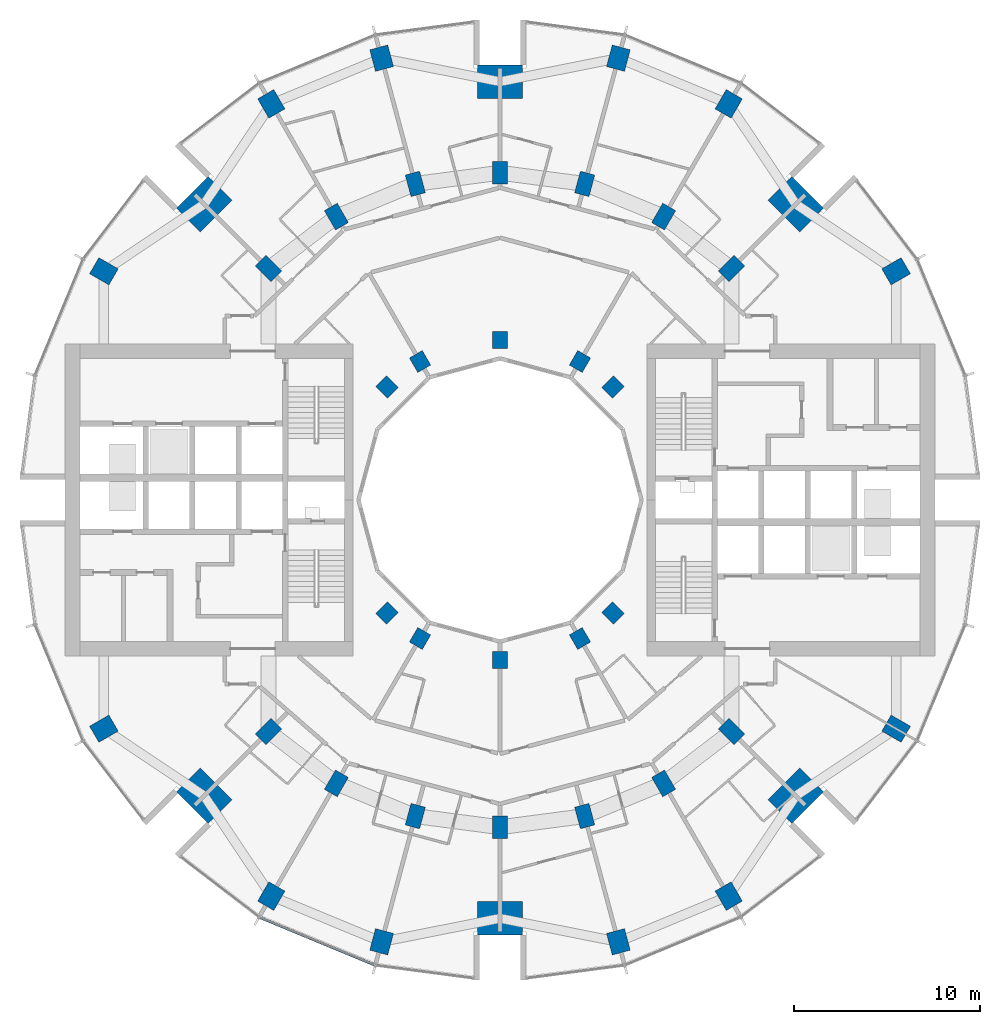
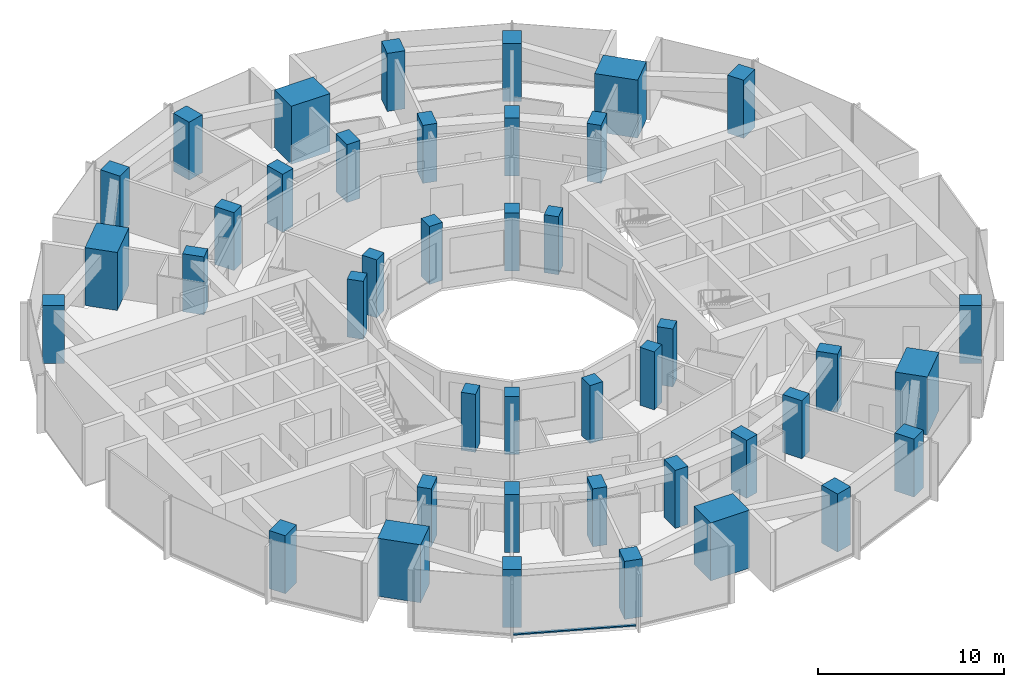
# One storey, part 1 of 15: 42 columns, 1 member, 1 element without a shape of its own.
"""IFC4 building model written with IfcOpenShell, lengths in metres."""

from ifc_helpers import new_model, si_unit, direction, frame, origin, origin_2d, place, context, subcontext, project, spatial, rectangle, extrude, material, layer, layer_set, material_profile, profile_set, type_object, element, aggregate, save


model = new_model("IFC4")

# Units and contexts
model_context = context("Model", 3, precision=1e-05, world=origin(), true_north=direction((0.0, 1.0)))
body_context = subcontext(model_context, "Body", "Model", "MODEL_VIEW")
ifc_project = project(units=[si_unit("LENGTHUNIT", "METRE"), si_unit("AREAUNIT", "SQUARE_METRE"), si_unit("VOLUMEUNIT", "CUBIC_METRE"), si_unit("PLANEANGLEUNIT", "RADIAN"), si_unit("MASSUNIT", "GRAM", prefix="KILO")], contexts=[model_context])

# Site, building, storey
site_placement = place(None, origin())
site = spatial("IfcSite", under=ifc_project, at=site_placement, CompositionType="ELEMENT")
building_placement = place(site_placement, origin())
building = spatial("IfcBuilding", under=site, at=building_placement, Name="Torre Brocal", CompositionType="ELEMENT")
storey_placement = place(building_placement, frame((0.0, 0.0, 47.800048828125)))
storey = spatial("IfcBuildingStorey", under=building, at=storey_placement, Name="L10", CompositionType="ELEMENT", Elevation=47.800048828125)

# Columns
ifc_material_1 = material(Name="Concrete C80", Category="concrete")
ifc_material_profile_1 = material_profile(ifc_material_1, rectangle(XDim=1.199951171875, YDim=1.0, at=origin_2d()), Name="RC 1200X1000")
ifc_profile_set_1 = profile_set([ifc_material_profile_1], Name="Concrete C80")
column_type_1 = type_object("IfcColumnType", Name="RC COLUMN 1200X1000 C80", PredefinedType="COLUMN", material=ifc_profile_set_1)
for number, where, z_axis, x_axis, name in (
    (1, (101.30419921875, 87.300048828125, 0.0), (0.0, 0.0, 1.0), (0.866025403784, 0.5, 0.0), "Column C-O02"),
    (2, (92.300048828125, 96.30419921875, 0.0), (0.0, 0.0, 1.0), (0.5, 0.866025403784, 0.0), "Column C-O04"),
    (3, (86.366943359375, 98.76171875, 0.0), (0.0, 0.0, 1.0), (0.258819045103, 0.965925826289, 0.0), "Column C-O05"),
    (4, (73.633056640625, 98.76171875, 0.0), (0.0, 0.0, 1.0), (-0.258819045103, 0.965925826289, 0.0), "Column C-O07"),
    (5, (67.699951171875, 96.30419921875, 0.0), (0.0, 0.0, 1.0), (-0.5, 0.866025403784, 0.0), "Column C-O08"),
    (6, (58.69580078125, 87.300048828125, 0.0), (0.0, 0.0, 1.0), (-0.866025403784, 0.5, 0.0), "Column C-O10"),
    (7, (58.69580078125, 62.699951171875, 0.0), (0.0, 0.0, 1.0), (-0.866025403784, -0.5, 0.0), "Column C-O14"),
    (8, (67.699951171875, 53.69580078125, 0.0), (0.0, 0.0, 1.0), (-0.5, -0.866025403784, 0.0), "Column C-O16"),
    (9, (73.633056640625, 51.23828125, 0.0), (0.0, 0.0, 1.0), (-0.258819045103, -0.965925826289, 0.0), "Column C-O17"),
    (10, (86.366943359375, 51.23828125, 0.0), (0.0, 0.0, 1.0), (0.258819045103, -0.965925826289, 0.0), "Column C-O19"),
    (11, (92.300048828125, 53.69580078125, 0.0), (0.0, 0.0, 1.0), (0.5, -0.866025403784, 0.0), "Column C-O20"),
    (12, (101.30419921875, 62.699951171875, 0.0), (0.0, 0.0, 1.0), (0.866025403784, -0.5, 0.0), "Column C-O22"),
):
    element("IfcColumn", number, at=place(storey_placement, frame(where, z_axis=z_axis, x_axis=x_axis)), inside=storey, type_object=column_type_1, Name=name, PredefinedType="COLUMN", context=body_context, shape_type="SweptSolid", body=[
        extrude(rectangle(XDim=1.199951171875, YDim=1.0, at=origin_2d()), origin(), (0.0, 0.0, 1.0), 3.800048828125),
    ])
ifc_material_2 = material(Name="Concrete C80", Category="concrete")
ifc_material_profile_2 = material_profile(ifc_material_2, rectangle(XDim=1.199951171875, YDim=0.800048828125, at=origin_2d()), Name="RC 1200X800")
ifc_profile_set_2 = profile_set([ifc_material_profile_2], Name="Concrete C80")
column_type_2 = type_object("IfcColumnType", Name="RC COLUMN 1200X800 C80", PredefinedType="COLUMN", material=ifc_profile_set_2)
for number, where, z_axis, x_axis, name in (
    (13, (92.445068359375, 87.445068359375, 0.0), (0.0, 0.0, 1.0), (0.707106781187, 0.707106781187, 0.0), "Column C-M03"),
    (14, (88.800048828125, 90.241943359375, 0.0), (0.0, 0.0, 1.0), (0.5, 0.866025403784, 0.0), "Column C-M04"),
    (15, (84.55517578125, 92.000244140625, 0.0), (0.0, 0.0, 1.0), (0.258819045103, 0.965925826289, 0.0), "Column C-M05"),
    (16, (80.0, 92.60009765625, 0.0), (0.0, 0.0, 1.0), (0.0, 1.0, 0.0), "Column C-M06"),
    (17, (75.44482421875, 92.000244140625, 0.0), (0.0, 0.0, 1.0), (-0.258819045103, 0.965925826289, 0.0), "Column C-M07"),
    (18, (71.199951171875, 90.241943359375, 0.0), (0.0, 0.0, 1.0), (-0.5, 0.866025403784, 0.0), "Column C-M08"),
    (19, (67.554931640625, 87.445068359375, 0.0), (0.0, 0.0, 1.0), (-0.707106781187, 0.707106781187, 0.0), "Column C-M09"),
    (20, (67.554931640625, 62.554931640625, 0.0), (0.0, 0.0, 1.0), (-0.707106781187, -0.707106781187, 0.0), "Column C-M15"),
    (21, (71.199951171875, 59.758056640625, 0.0), (0.0, 0.0, 1.0), (-0.5, -0.866025403784, 0.0), "Column C-M16"),
    (22, (75.44482421875, 57.999755859375, 0.0), (0.0, 0.0, 1.0), (-0.258819045103, -0.965925826289, 0.0), "Column C-M17"),
    (23, (80.0, 57.39990234375, 0.0), (0.0, 0.0, 1.0), (0.0, -1.0, 0.0), "Column C-M18"),
    (24, (84.55517578125, 57.999755859375, 0.0), (0.0, 0.0, 1.0), (0.258819045103, -0.965925826289, 0.0), "Column C-M19"),
    (25, (88.800048828125, 59.758056640625, 0.0), (0.0, 0.0, 1.0), (0.5, -0.866025403784, 0.0), "Column C-M20"),
    (26, (92.445068359375, 62.554931640625, 0.0), (0.0, 0.0, 1.0), (0.707106781187, -0.707106781187, 0.0), "Column C-M21"),
):
    element("IfcColumn", number, at=place(storey_placement, frame(where, z_axis=z_axis, x_axis=x_axis)), inside=storey, type_object=column_type_2, Name=name, PredefinedType="COLUMN", context=body_context, shape_type="SweptSolid", body=[
        extrude(rectangle(XDim=1.199951171875, YDim=0.800048828125, at=origin_2d()), origin(), (0.0, 0.0, 1.0), 3.800048828125),
    ])
ifc_material_3 = material(Name="Concrete C80", Category="concrete")
ifc_material_profile_3 = material_profile(ifc_material_3, rectangle(XDim=1.800048828125, YDim=2.39990234375, at=origin_2d()), Name="RC 1800X2400")
ifc_profile_set_3 = profile_set([ifc_material_profile_3], Name="Concrete C80")
column_type_3 = type_object("IfcColumnType", Name="RC COLUMN 1800X2400 C80", PredefinedType="COLUMN", material=ifc_profile_set_3)
for number, where, z_axis, x_axis, name in (
    (27, (95.909912109375, 90.909912109375, 0.0), (0.0, 0.0, 1.0), (0.707106781187, 0.707106781187, 0.0), "Column MC-1"),
    (28, (80.0, 97.5, 0.0), (0.0, 0.0, 1.0), (0.0, 1.0, 0.0), "Column MC-2"),
    (29, (64.090087890625, 90.909912109375, 0.0), (0.0, 0.0, 1.0), (-0.707106781187, 0.707106781187, 0.0), "Column MC-3"),
    (30, (64.090087890625, 59.090087890625, 0.0), (0.0, 0.0, 1.0), (-0.707106781187, -0.707106781187, 0.0), "Column MC-5"),
    (31, (80.0, 52.5, 0.0), (0.0, 0.0, 1.0), (0.0, -1.0, 0.0), "Column MC-6"),
    (32, (95.909912109375, 59.090087890625, 0.0), (0.0, 0.0, 1.0), (0.707106781187, -0.707106781187, 0.0), "Column MC-7"),
):
    element("IfcColumn", number, at=place(storey_placement, frame(where, z_axis=z_axis, x_axis=x_axis)), inside=storey, type_object=column_type_3, Name=name, PredefinedType="COLUMN", context=body_context, shape_type="SweptSolid", body=[
        extrude(rectangle(XDim=1.800048828125, YDim=2.39990234375, at=origin_2d()), origin(), (0.0, 0.0, 1.0), 3.800048828125),
    ])
ifc_material_4 = material(Name="Concrete C80", Category="concrete")
ifc_material_profile_4 = material_profile(ifc_material_4, rectangle(XDim=0.89990234375, YDim=0.800048828125, at=origin_2d()), Name="RC 900X800")
ifc_profile_set_4 = profile_set([ifc_material_profile_4], Name="Concrete C80")
column_type_4 = type_object("IfcColumnType", Name="RC COLUMN 900X800 C80", PredefinedType="COLUMN", material=ifc_profile_set_4)
for number, where, z_axis, x_axis, name in (
    (33, (86.0810546875, 81.0810546875, 0.0), (0.0, 0.0, 1.0), (0.707106781187, 0.707106781187, 0.0), "Column C-I03"),
    (34, (84.300048828125, 82.44775390625, 0.0), (0.0, 0.0, 1.0), (0.5, 0.866025403784, 0.0), "Column C-I04"),
    (35, (80.0, 83.60009765625, 0.0), (0.0, 0.0, 1.0), (0.0, 1.0, 0.0), "Column C-I06"),
    (36, (75.699951171875, 82.44775390625, 0.0), (0.0, 0.0, 1.0), (-0.5, 0.866025403784, 0.0), "Column C-I08"),
    (37, (73.9189453125, 81.0810546875, 0.0), (0.0, 0.0, 1.0), (-0.707106781187, 0.707106781187, 0.0), "Column C-I09"),
    (38, (73.9189453125, 68.9189453125, 0.0), (0.0, 0.0, 1.0), (-0.707106781187, -0.707106781187, 0.0), "Column C-I15"),
    (39, (75.699951171875, 67.55224609375, 0.0), (0.0, 0.0, 1.0), (-0.5, -0.866025403784, 0.0), "Column C-I16"),
    (40, (80.0, 66.39990234375, 0.0), (0.0, 0.0, 1.0), (0.0, -1.0, 0.0), "Column C-I18"),
    (41, (84.300048828125, 67.55224609375, 0.0), (0.0, 0.0, 1.0), (0.5, -0.866025403784, 0.0), "Column C-I20"),
    (42, (86.0810546875, 68.9189453125, 0.0), (0.0, 0.0, 1.0), (0.707106781187, -0.707106781187, 0.0), "Column C-I21"),
):
    element("IfcColumn", number, at=place(storey_placement, frame(where, z_axis=z_axis, x_axis=x_axis)), inside=storey, type_object=column_type_4, Name=name, PredefinedType="COLUMN", context=body_context, shape_type="SweptSolid", body=[
        extrude(rectangle(XDim=0.89990234375, YDim=0.800048828125, at=origin_2d()), origin(), (0.0, 0.0, 1.0), 3.800048828125),
    ])

# Curtain wall, member
ifc_material_5 = material(Name="Aluminium and glass", Category="aluminium")
ifc_layer = layer(ifc_material_5, 0.199951171875)
ifc_layer_set = layer_set([ifc_layer], Name="Aluminium and glass")
curtain_wall_type = type_object("IfcCurtainWallType", Name="CW-1 CURTAIN WALL 3800 HIGH", PredefinedType="NOTDEFINED", material=ifc_layer_set)
curtain_wall_placement = place(storey_placement, origin())
curtain_wall = element("IfcCurtainWall", 43, at=curtain_wall_placement, inside=storey, type_object=curtain_wall_type, Name="CW-1 RUN 17", PredefinedType="NOTDEFINED")
ifc_material_6 = material(Name="Aluminium, dark anodised", Category="aluminium")
ifc_material_profile_5 = material_profile(ifc_material_6, rectangle(XDim=0.159912109375, YDim=0.080078125, at=origin_2d()), Name="CW-1 TRANSOM 160X80")
ifc_profile_set_5 = profile_set([ifc_material_profile_5], Name="Aluminium, dark anodised")
member_type = type_object("IfcMemberType", Name="CW-1 TRANSOM 160X80", PredefinedType="USERDEFINED", material=ifc_profile_set_5)
member_placement = place(storey_placement, frame((67.10595703125, 52.547607421875, 0.0400390625), z_axis=(0.923887344364, -0.38266457234, 0.0), x_axis=(0.38266457234, 0.923887344364, 0.0)))
member = element("IfcMember", 44, at=member_placement, type_object=member_type, Name="CW1-1 transom 1.1", ObjectType="TRANSOM", PredefinedType="USERDEFINED", context=body_context, shape_type="SweptSolid", body=[
    extrude(rectangle(XDim=0.159912109375, YDim=0.080078125, at=origin_2d()), origin(), (0.0, 0.0, 1.0), 6.640869140625),
])
aggregate(curtain_wall, [member])

save(model, "model.ifc")
